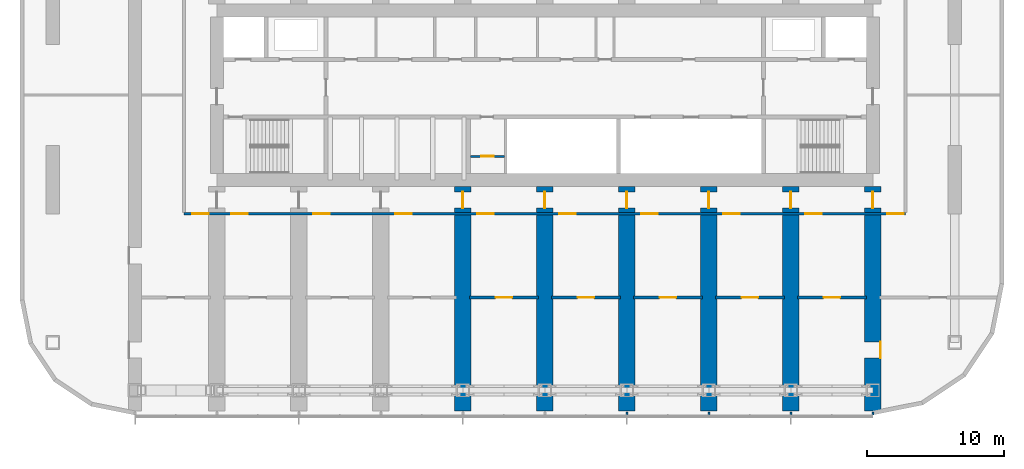
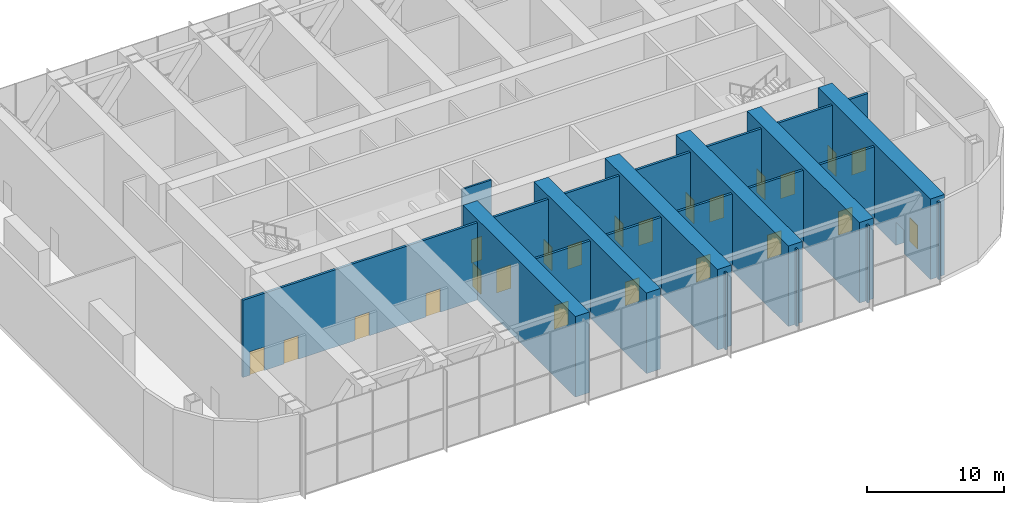
# One storey, part 9 of 22: 23 doors, 17 walls, 23 openings.
"""IFC4 building model written with IfcOpenShell, lengths in metres."""

from ifc_helpers import new_model, si_unit, direction, frame, frame_2d, origin, place, context, subcontext, project, spatial, rectangle, extrude, material, layer, layer_set, type_object, element, fill, save


model = new_model("IFC4")

# Units and contexts
model_context = context("Model", 3, precision=1e-05, world=origin(), true_north=direction((0.0, 1.0)))
body_context = subcontext(model_context, "Body", "Model", "MODEL_VIEW")
ifc_project = project(units=[si_unit("LENGTHUNIT", "METRE"), si_unit("AREAUNIT", "SQUARE_METRE"), si_unit("VOLUMEUNIT", "CUBIC_METRE"), si_unit("PLANEANGLEUNIT", "RADIAN"), si_unit("MASSUNIT", "GRAM", prefix="KILO")], contexts=[model_context])

# Site, building, storey
site_placement = place(None, origin())
site = spatial("IfcSite", under=ifc_project, at=site_placement, CompositionType="ELEMENT")
building_placement = place(site_placement, origin())
building = spatial("IfcBuilding", under=site, at=building_placement, Name="Orbita Commons", CompositionType="ELEMENT")
storey_placement = place(building_placement, frame((0.0, 0.0, 133.14990234375)))
storey = spatial("IfcBuildingStorey", under=building, at=storey_placement, Name="L33", CompositionType="ELEMENT", Elevation=133.14990234375)

# Wall, opening, door
ifc_material_1 = material(Name="Concrete blockwork", Category="masonry")
ifc_layer_1 = layer(ifc_material_1, 0.14990234375)
ifc_layer_set_1 = layer_set([ifc_layer_1], Name="Concrete blockwork")
wall_type_1 = type_object("IfcWallType", Name="Core partition 150 blockwork", PredefinedType="SOLIDWALL", material=ifc_layer_set_1)
wall_1_placement = place(storey_placement, frame((36.550048828125, 27.52490234375, 0.0), z_axis=(0.0, 0.0, 1.0), x_axis=(1.0, 0.0, 0.0)))
wall_1 = element("IfcWall", 1, at=wall_1_placement, inside=storey, type_object=wall_type_1, Name="Core partition 150 blockwork L33", PredefinedType="SOLIDWALL", context=body_context, shape_type="SweptSolid", body=[
    extrude(rectangle(XDim=2.5, YDim=0.14990234375, at=frame_2d((1.25, 0.0))), origin(), (0.0, 0.0, 1.0), 6.900146484375),
])
opening_1_placement = place(wall_1_placement, frame((0.800048828125, 0.0, 0.0)))
opening_1 = element("IfcOpeningElement", 2, at=opening_1_placement, cuts=wall_1, Name="Opening D05", PredefinedType="OPENING", context=body_context, shape_type="SweptSolid", body=[
    extrude(rectangle(XDim=0.89990234375, YDim=2.10009765625, at=frame_2d((0.449951171875, 1.050048828125))), frame((0.0, 0.0849609375, 0.0), z_axis=(0.0, -1.0, 0.0), x_axis=(1.0, 0.0, 0.0)), (0.0, 0.0, 1.0), 0.169921875),
])
ifc_material_2 = material(Name="Steel-faced fire door leaf", Category="steel")
door_type_1 = type_object("IfcDoorType", Name="Service door 20 min 900x2100", OperationType="SINGLE_SWING_LEFT", PredefinedType="DOOR", material=ifc_material_2)
door_1_placement = place(opening_1_placement, origin())
door_1 = element("IfcDoor", 3, at=door_1_placement, inside=storey, type_object=door_type_1, Name="Cupboard door off IT room", OperationType="SINGLE_SWING_LEFT", OverallHeight=2.10009765625, OverallWidth=0.89990234375, PredefinedType="DOOR", context=body_context, shape_type="SweptSolid", body=[
    extrude(rectangle(XDim=0.89990234375, YDim=2.10009765625, at=frame_2d((0.449951171875, 1.050048828125))), frame((0.0, 0.02490234375, 0.0), z_axis=(0.0, -1.0, 0.0), x_axis=(1.0, 0.0, 0.0)), (0.0, 0.0, 1.0), 0.050048828125),
])
fill(opening_1, door_1)

# Wall, openings, doors
ifc_material_3 = material(Name="Concrete blockwork", Category="masonry")
ifc_layer_2 = layer(ifc_material_3, 0.199951171875)
ifc_layer_set_2 = layer_set([ifc_layer_2], Name="Concrete blockwork")
wall_type_2 = type_object("IfcWallType", Name="Corridor wall 200 blockwork", PredefinedType="SOLIDWALL", material=ifc_layer_set_2)
wall_2_placement = place(storey_placement, frame((68.39990234375, 23.324951171875, 0.0), z_axis=(0.0, 0.0, 1.0), x_axis=(-1.0, 0.0, 0.0)))
wall_2 = element("IfcWall", 4, at=wall_2_placement, inside=storey, type_object=wall_type_2, Name="Corridor wall 200 blockwork L33", PredefinedType="SOLIDWALL", context=body_context, shape_type="SweptSolid", body=[
    extrude(rectangle(XDim=52.7998046875, YDim=0.199951171875, at=frame_2d((26.39990234375, 0.0))), origin(), (0.0, 0.0, 1.0), 6.900146484375),
])
opening_2_placement = place(wall_2_placement, frame((51.0, 0.0, 0.0)))
opening_2 = element("IfcOpeningElement", 5, at=opening_2_placement, cuts=wall_2, Name="Opening D01", PredefinedType="OPENING", context=body_context, shape_type="SweptSolid", body=[
    extrude(rectangle(XDim=1.199951171875, YDim=2.10009765625, at=frame_2d((0.60009765625, 1.050048828125))), frame((0.0, 0.10986328125, 0.0), z_axis=(0.0, -1.0, 0.0), x_axis=(1.0, 0.0, 0.0)), (0.0, 0.0, 1.0), 0.219970703125),
])
opening_3_placement = place(wall_2_placement, frame((48.125, 0.0, 0.0)))
opening_3 = element("IfcOpeningElement", 6, at=opening_3_placement, cuts=wall_2, Name="Opening D01", PredefinedType="OPENING", context=body_context, shape_type="SweptSolid", body=[
    extrude(rectangle(XDim=1.199951171875, YDim=2.10009765625, at=frame_2d((0.60009765625, 1.050048828125))), frame((0.0, 0.10986328125, 0.0), z_axis=(0.0, -1.0, 0.0), x_axis=(1.0, 0.0, 0.0)), (0.0, 0.0, 1.0), 0.219970703125),
])
opening_4_placement = place(wall_2_placement, frame((42.125, 0.0, 0.0)))
opening_4 = element("IfcOpeningElement", 7, at=opening_4_placement, cuts=wall_2, Name="Opening D01", PredefinedType="OPENING", context=body_context, shape_type="SweptSolid", body=[
    extrude(rectangle(XDim=1.199951171875, YDim=2.10009765625, at=frame_2d((0.60009765625, 1.050048828125))), frame((0.0, 0.10986328125, 0.0), z_axis=(0.0, -1.0, 0.0), x_axis=(1.0, 0.0, 0.0)), (0.0, 0.0, 1.0), 0.219970703125),
])
opening_5_placement = place(wall_2_placement, frame((36.125, 0.0, 0.0)))
opening_5 = element("IfcOpeningElement", 8, at=opening_5_placement, cuts=wall_2, Name="Opening D01", PredefinedType="OPENING", context=body_context, shape_type="SweptSolid", body=[
    extrude(rectangle(XDim=1.199951171875, YDim=2.10009765625, at=frame_2d((0.60009765625, 1.050048828125))), frame((0.0, 0.10986328125, 0.0), z_axis=(0.0, -1.0, 0.0), x_axis=(1.0, 0.0, 0.0)), (0.0, 0.0, 1.0), 0.219970703125),
])
opening_6_placement = place(wall_2_placement, frame((30.125, 0.0, 0.0)))
opening_6 = element("IfcOpeningElement", 9, at=opening_6_placement, cuts=wall_2, Name="Opening D01", PredefinedType="OPENING", context=body_context, shape_type="SweptSolid", body=[
    extrude(rectangle(XDim=1.199951171875, YDim=2.10009765625, at=frame_2d((0.60009765625, 1.050048828125))), frame((0.0, 0.10986328125, 0.0), z_axis=(0.0, -1.0, 0.0), x_axis=(1.0, 0.0, 0.0)), (0.0, 0.0, 1.0), 0.219970703125),
])
opening_7_placement = place(wall_2_placement, frame((24.125, 0.0, 0.0)))
opening_7 = element("IfcOpeningElement", 10, at=opening_7_placement, cuts=wall_2, Name="Opening D01", PredefinedType="OPENING", context=body_context, shape_type="SweptSolid", body=[
    extrude(rectangle(XDim=1.199951171875, YDim=2.10009765625, at=frame_2d((0.60009765625, 1.050048828125))), frame((0.0, 0.10986328125, 0.0), z_axis=(0.0, -1.0, 0.0), x_axis=(1.0, 0.0, 0.0)), (0.0, 0.0, 1.0), 0.219970703125),
])
opening_8_placement = place(wall_2_placement, frame((18.125, 0.0, 0.0)))
opening_8 = element("IfcOpeningElement", 11, at=opening_8_placement, cuts=wall_2, Name="Opening D01", PredefinedType="OPENING", context=body_context, shape_type="SweptSolid", body=[
    extrude(rectangle(XDim=1.199951171875, YDim=2.10009765625, at=frame_2d((0.60009765625, 1.050048828125))), frame((0.0, 0.10986328125, 0.0), z_axis=(0.0, -1.0, 0.0), x_axis=(1.0, 0.0, 0.0)), (0.0, 0.0, 1.0), 0.219970703125),
])
opening_9_placement = place(wall_2_placement, frame((12.125, 0.0, 0.0)))
opening_9 = element("IfcOpeningElement", 12, at=opening_9_placement, cuts=wall_2, Name="Opening D01", PredefinedType="OPENING", context=body_context, shape_type="SweptSolid", body=[
    extrude(rectangle(XDim=1.199951171875, YDim=2.10009765625, at=frame_2d((0.60009765625, 1.050048828125))), frame((0.0, 0.10986328125, 0.0), z_axis=(0.0, -1.0, 0.0), x_axis=(1.0, 0.0, 0.0)), (0.0, 0.0, 1.0), 0.219970703125),
])
opening_10_placement = place(wall_2_placement, frame((6.125, 0.0, 0.0)))
opening_10 = element("IfcOpeningElement", 13, at=opening_10_placement, cuts=wall_2, Name="Opening D01", PredefinedType="OPENING", context=body_context, shape_type="SweptSolid", body=[
    extrude(rectangle(XDim=1.199951171875, YDim=2.10009765625, at=frame_2d((0.60009765625, 1.050048828125))), frame((0.0, 0.10986328125, 0.0), z_axis=(0.0, -1.0, 0.0), x_axis=(1.0, 0.0, 0.0)), (0.0, 0.0, 1.0), 0.219970703125),
])
opening_11_placement = place(wall_2_placement, frame((0.125, 0.0, 0.0)))
opening_11 = element("IfcOpeningElement", 14, at=opening_11_placement, cuts=wall_2, Name="Opening D01", PredefinedType="OPENING", context=body_context, shape_type="SweptSolid", body=[
    extrude(rectangle(XDim=1.199951171875, YDim=2.10009765625, at=frame_2d((0.60009765625, 1.050048828125))), frame((0.0, 0.10986328125, 0.0), z_axis=(0.0, -1.0, 0.0), x_axis=(1.0, 0.0, 0.0)), (0.0, 0.0, 1.0), 0.219970703125),
])
ifc_material_4 = material(Name="Steel-faced fire door leaf", Category="steel")
door_type_2 = type_object("IfcDoorType", Name="Fire door 90 min 1200x2100", OperationType="SINGLE_SWING_LEFT", PredefinedType="DOOR", material=ifc_material_4)
door_2_placement = place(opening_2_placement, origin())
door_2 = element("IfcDoor", 15, at=door_2_placement, inside=storey, type_object=door_type_2, Name="Refuge lobby L33-PS1 door", OperationType="SINGLE_SWING_LEFT", OverallHeight=2.10009765625, OverallWidth=1.199951171875, PredefinedType="DOOR", context=body_context, shape_type="SweptSolid", body=[
    extrude(rectangle(XDim=1.199951171875, YDim=2.10009765625, at=frame_2d((0.60009765625, 1.050048828125))), frame((0.0, 0.02490234375, 0.0), z_axis=(0.0, -1.0, 0.0), x_axis=(1.0, 0.0, 0.0)), (0.0, 0.0, 1.0), 0.050048828125),
])
fill(opening_2, door_2)
door_3_placement = place(opening_3_placement, origin())
door_3 = element("IfcDoor", 16, at=door_3_placement, inside=storey, type_object=door_type_2, Name="Refuge lobby L33-PS2 door", OperationType="SINGLE_SWING_LEFT", OverallHeight=2.10009765625, OverallWidth=1.199951171875, PredefinedType="DOOR", context=body_context, shape_type="SweptSolid", body=[
    extrude(rectangle(XDim=1.199951171875, YDim=2.10009765625, at=frame_2d((0.60009765625, 1.050048828125))), frame((0.0, 0.02490234375, 0.0), z_axis=(0.0, -1.0, 0.0), x_axis=(1.0, 0.0, 0.0)), (0.0, 0.0, 1.0), 0.050048828125),
])
fill(opening_3, door_3)
door_4_placement = place(opening_4_placement, origin())
door_4 = element("IfcDoor", 17, at=door_4_placement, inside=storey, type_object=door_type_2, Name="Refuge lobby L33-PS3 door", OperationType="SINGLE_SWING_LEFT", OverallHeight=2.10009765625, OverallWidth=1.199951171875, PredefinedType="DOOR", context=body_context, shape_type="SweptSolid", body=[
    extrude(rectangle(XDim=1.199951171875, YDim=2.10009765625, at=frame_2d((0.60009765625, 1.050048828125))), frame((0.0, 0.02490234375, 0.0), z_axis=(0.0, -1.0, 0.0), x_axis=(1.0, 0.0, 0.0)), (0.0, 0.0, 1.0), 0.050048828125),
])
fill(opening_4, door_4)
door_5_placement = place(opening_5_placement, origin())
door_5 = element("IfcDoor", 18, at=door_5_placement, inside=storey, type_object=door_type_2, Name="Refuge lobby L33-PS4 door", OperationType="SINGLE_SWING_LEFT", OverallHeight=2.10009765625, OverallWidth=1.199951171875, PredefinedType="DOOR", context=body_context, shape_type="SweptSolid", body=[
    extrude(rectangle(XDim=1.199951171875, YDim=2.10009765625, at=frame_2d((0.60009765625, 1.050048828125))), frame((0.0, 0.02490234375, 0.0), z_axis=(0.0, -1.0, 0.0), x_axis=(1.0, 0.0, 0.0)), (0.0, 0.0, 1.0), 0.050048828125),
])
fill(opening_5, door_5)
door_6_placement = place(opening_6_placement, origin())
door_6 = element("IfcDoor", 19, at=door_6_placement, inside=storey, type_object=door_type_2, Name="Refuge lobby L33-PS5 door", OperationType="SINGLE_SWING_LEFT", OverallHeight=2.10009765625, OverallWidth=1.199951171875, PredefinedType="DOOR", context=body_context, shape_type="SweptSolid", body=[
    extrude(rectangle(XDim=1.199951171875, YDim=2.10009765625, at=frame_2d((0.60009765625, 1.050048828125))), frame((0.0, 0.02490234375, 0.0), z_axis=(0.0, -1.0, 0.0), x_axis=(1.0, 0.0, 0.0)), (0.0, 0.0, 1.0), 0.050048828125),
])
fill(opening_6, door_6)
door_7_placement = place(opening_7_placement, origin())
door_7 = element("IfcDoor", 20, at=door_7_placement, inside=storey, type_object=door_type_2, Name="Refuge lobby L33-PS6 door", OperationType="SINGLE_SWING_LEFT", OverallHeight=2.10009765625, OverallWidth=1.199951171875, PredefinedType="DOOR", context=body_context, shape_type="SweptSolid", body=[
    extrude(rectangle(XDim=1.199951171875, YDim=2.10009765625, at=frame_2d((0.60009765625, 1.050048828125))), frame((0.0, 0.02490234375, 0.0), z_axis=(0.0, -1.0, 0.0), x_axis=(1.0, 0.0, 0.0)), (0.0, 0.0, 1.0), 0.050048828125),
])
fill(opening_7, door_7)
door_8_placement = place(opening_8_placement, origin())
door_8 = element("IfcDoor", 21, at=door_8_placement, inside=storey, type_object=door_type_2, Name="Refuge lobby L33-PS7 door", OperationType="SINGLE_SWING_LEFT", OverallHeight=2.10009765625, OverallWidth=1.199951171875, PredefinedType="DOOR", context=body_context, shape_type="SweptSolid", body=[
    extrude(rectangle(XDim=1.199951171875, YDim=2.10009765625, at=frame_2d((0.60009765625, 1.050048828125))), frame((0.0, 0.02490234375, 0.0), z_axis=(0.0, -1.0, 0.0), x_axis=(1.0, 0.0, 0.0)), (0.0, 0.0, 1.0), 0.050048828125),
])
fill(opening_8, door_8)
door_9_placement = place(opening_9_placement, origin())
door_9 = element("IfcDoor", 22, at=door_9_placement, inside=storey, type_object=door_type_2, Name="Refuge lobby L33-PS8 door", OperationType="SINGLE_SWING_LEFT", OverallHeight=2.10009765625, OverallWidth=1.199951171875, PredefinedType="DOOR", context=body_context, shape_type="SweptSolid", body=[
    extrude(rectangle(XDim=1.199951171875, YDim=2.10009765625, at=frame_2d((0.60009765625, 1.050048828125))), frame((0.0, 0.02490234375, 0.0), z_axis=(0.0, -1.0, 0.0), x_axis=(1.0, 0.0, 0.0)), (0.0, 0.0, 1.0), 0.050048828125),
])
fill(opening_9, door_9)
door_10_placement = place(opening_10_placement, origin())
door_10 = element("IfcDoor", 23, at=door_10_placement, inside=storey, type_object=door_type_2, Name="Refuge lobby L33-PS9 door", OperationType="SINGLE_SWING_LEFT", OverallHeight=2.10009765625, OverallWidth=1.199951171875, PredefinedType="DOOR", context=body_context, shape_type="SweptSolid", body=[
    extrude(rectangle(XDim=1.199951171875, YDim=2.10009765625, at=frame_2d((0.60009765625, 1.050048828125))), frame((0.0, 0.02490234375, 0.0), z_axis=(0.0, -1.0, 0.0), x_axis=(1.0, 0.0, 0.0)), (0.0, 0.0, 1.0), 0.050048828125),
])
fill(opening_10, door_10)
door_11_placement = place(opening_11_placement, origin())
door_11 = element("IfcDoor", 24, at=door_11_placement, inside=storey, type_object=door_type_2, Name="Refuge lobby L33-PS10 door", OperationType="SINGLE_SWING_LEFT", OverallHeight=2.10009765625, OverallWidth=1.199951171875, PredefinedType="DOOR", context=body_context, shape_type="SweptSolid", body=[
    extrude(rectangle(XDim=1.199951171875, YDim=2.10009765625, at=frame_2d((0.60009765625, 1.050048828125))), frame((0.0, 0.02490234375, 0.0), z_axis=(0.0, -1.0, 0.0), x_axis=(1.0, 0.0, 0.0)), (0.0, 0.0, 1.0), 0.050048828125),
])
fill(opening_11, door_11)

# Wall, opening, door
ifc_material_5 = material(Name="Hollow concrete block 200", Category="concrete")
ifc_layer_3 = layer(ifc_material_5, 0.199951171875)
ifc_layer_set_3 = layer_set([ifc_layer_3], Name="Hollow concrete block 200")
wall_type_3 = type_object("IfcWallType", Name="Corridor wall 200 hollow concrete block", PredefinedType="SOLIDWALL", material=ifc_layer_set_3)
wall_3_placement = place(storey_placement, frame((36.47509765625, 17.199951171875, 0.0), z_axis=(0.0, 0.0, 1.0), x_axis=(1.0, 0.0, 0.0)))
wall_3 = element("IfcWall", 25, at=wall_3_placement, inside=storey, type_object=wall_type_3, Name="Corridor wall 200 hollow concrete block L33", PredefinedType="SOLIDWALL", context=body_context, shape_type="SweptSolid", body=[
    extrude(rectangle(XDim=5.0498046875, YDim=0.199951171875, at=frame_2d((2.52490234375, 0.0))), origin(), (0.0, 0.0, 1.0), 6.900146484375),
])
opening_12_placement = place(wall_3_placement, frame((1.925048828125, 0.0, 0.0)))
opening_12 = element("IfcOpeningElement", 26, at=opening_12_placement, cuts=wall_3, Name="Opening D01", PredefinedType="OPENING", context=body_context, shape_type="SweptSolid", body=[
    extrude(rectangle(XDim=1.199951171875, YDim=2.10009765625, at=frame_2d((0.60009765625, 1.050048828125))), frame((0.0, 0.10986328125, 0.0), z_axis=(0.0, -1.0, 0.0), x_axis=(1.0, 0.0, 0.0)), (0.0, 0.0, 1.0), 0.219970703125),
])
door_12_placement = place(opening_12_placement, origin())
door_12 = element("IfcDoor", 27, at=door_12_placement, inside=storey, type_object=door_type_2, Name="Refuge area door L33", OperationType="SINGLE_SWING_LEFT", OverallHeight=2.10009765625, OverallWidth=1.199951171875, PredefinedType="DOOR", context=body_context, shape_type="SweptSolid", body=[
    extrude(rectangle(XDim=1.199951171875, YDim=2.10009765625, at=frame_2d((0.60009765625, 1.050048828125))), frame((0.0, 0.02490234375, 0.0), z_axis=(0.0, -1.0, 0.0), x_axis=(1.0, 0.0, 0.0)), (0.0, 0.0, 1.0), 0.050048828125),
])
fill(opening_12, door_12)

wall_4_placement = place(storey_placement, frame((42.47509765625, 17.199951171875, 0.0), z_axis=(0.0, 0.0, 1.0), x_axis=(1.0, 0.0, 0.0)))
wall_4 = element("IfcWall", 28, at=wall_4_placement, inside=storey, type_object=wall_type_3, Name="Corridor wall 200 hollow concrete block L33", PredefinedType="SOLIDWALL", context=body_context, shape_type="SweptSolid", body=[
    extrude(rectangle(XDim=5.0498046875, YDim=0.199951171875, at=frame_2d((2.52490234375, 0.0))), origin(), (0.0, 0.0, 1.0), 6.900146484375),
])
opening_13_placement = place(wall_4_placement, frame((1.925048828125, 0.0, 0.0)))
opening_13 = element("IfcOpeningElement", 29, at=opening_13_placement, cuts=wall_4, Name="Opening D01", PredefinedType="OPENING", context=body_context, shape_type="SweptSolid", body=[
    extrude(rectangle(XDim=1.199951171875, YDim=2.10009765625, at=frame_2d((0.60009765625, 1.050048828125))), frame((0.0, 0.10986328125, 0.0), z_axis=(0.0, -1.0, 0.0), x_axis=(1.0, 0.0, 0.0)), (0.0, 0.0, 1.0), 0.219970703125),
])
door_13_placement = place(opening_13_placement, origin())
door_13 = element("IfcDoor", 30, at=door_13_placement, inside=storey, type_object=door_type_2, Name="Refuge area door L33", OperationType="SINGLE_SWING_LEFT", OverallHeight=2.10009765625, OverallWidth=1.199951171875, PredefinedType="DOOR", context=body_context, shape_type="SweptSolid", body=[
    extrude(rectangle(XDim=1.199951171875, YDim=2.10009765625, at=frame_2d((0.60009765625, 1.050048828125))), frame((0.0, 0.02490234375, 0.0), z_axis=(0.0, -1.0, 0.0), x_axis=(1.0, 0.0, 0.0)), (0.0, 0.0, 1.0), 0.050048828125),
])
fill(opening_13, door_13)

wall_5_placement = place(storey_placement, frame((48.47509765625, 17.199951171875, 0.0), z_axis=(0.0, 0.0, 1.0), x_axis=(1.0, 0.0, 0.0)))
wall_5 = element("IfcWall", 31, at=wall_5_placement, inside=storey, type_object=wall_type_3, Name="Corridor wall 200 hollow concrete block L33", PredefinedType="SOLIDWALL", context=body_context, shape_type="SweptSolid", body=[
    extrude(rectangle(XDim=5.0498046875, YDim=0.199951171875, at=frame_2d((2.52490234375, 0.0))), origin(), (0.0, 0.0, 1.0), 6.900146484375),
])
opening_14_placement = place(wall_5_placement, frame((1.925048828125, 0.0, 0.0)))
opening_14 = element("IfcOpeningElement", 32, at=opening_14_placement, cuts=wall_5, Name="Opening D01", PredefinedType="OPENING", context=body_context, shape_type="SweptSolid", body=[
    extrude(rectangle(XDim=1.199951171875, YDim=2.10009765625, at=frame_2d((0.60009765625, 1.050048828125))), frame((0.0, 0.10986328125, 0.0), z_axis=(0.0, -1.0, 0.0), x_axis=(1.0, 0.0, 0.0)), (0.0, 0.0, 1.0), 0.219970703125),
])
door_14_placement = place(opening_14_placement, origin())
door_14 = element("IfcDoor", 33, at=door_14_placement, inside=storey, type_object=door_type_2, Name="Refuge area door L33", OperationType="SINGLE_SWING_LEFT", OverallHeight=2.10009765625, OverallWidth=1.199951171875, PredefinedType="DOOR", context=body_context, shape_type="SweptSolid", body=[
    extrude(rectangle(XDim=1.199951171875, YDim=2.10009765625, at=frame_2d((0.60009765625, 1.050048828125))), frame((0.0, 0.02490234375, 0.0), z_axis=(0.0, -1.0, 0.0), x_axis=(1.0, 0.0, 0.0)), (0.0, 0.0, 1.0), 0.050048828125),
])
fill(opening_14, door_14)

wall_6_placement = place(storey_placement, frame((54.47509765625, 17.199951171875, 0.0), z_axis=(0.0, 0.0, 1.0), x_axis=(1.0, 0.0, 0.0)))
wall_6 = element("IfcWall", 34, at=wall_6_placement, inside=storey, type_object=wall_type_3, Name="Corridor wall 200 hollow concrete block L33", PredefinedType="SOLIDWALL", context=body_context, shape_type="SweptSolid", body=[
    extrude(rectangle(XDim=5.0498046875, YDim=0.199951171875, at=frame_2d((2.52490234375, 0.0))), origin(), (0.0, 0.0, 1.0), 6.900146484375),
])
opening_15_placement = place(wall_6_placement, frame((1.925048828125, 0.0, 0.0)))
opening_15 = element("IfcOpeningElement", 35, at=opening_15_placement, cuts=wall_6, Name="Opening D01", PredefinedType="OPENING", context=body_context, shape_type="SweptSolid", body=[
    extrude(rectangle(XDim=1.199951171875, YDim=2.10009765625, at=frame_2d((0.60009765625, 1.050048828125))), frame((0.0, 0.10986328125, 0.0), z_axis=(0.0, -1.0, 0.0), x_axis=(1.0, 0.0, 0.0)), (0.0, 0.0, 1.0), 0.219970703125),
])
door_15_placement = place(opening_15_placement, origin())
door_15 = element("IfcDoor", 36, at=door_15_placement, inside=storey, type_object=door_type_2, Name="Refuge area door L33", OperationType="SINGLE_SWING_LEFT", OverallHeight=2.10009765625, OverallWidth=1.199951171875, PredefinedType="DOOR", context=body_context, shape_type="SweptSolid", body=[
    extrude(rectangle(XDim=1.199951171875, YDim=2.10009765625, at=frame_2d((0.60009765625, 1.050048828125))), frame((0.0, 0.02490234375, 0.0), z_axis=(0.0, -1.0, 0.0), x_axis=(1.0, 0.0, 0.0)), (0.0, 0.0, 1.0), 0.050048828125),
])
fill(opening_15, door_15)

wall_7_placement = place(storey_placement, frame((60.47509765625, 17.199951171875, 0.0), z_axis=(0.0, 0.0, 1.0), x_axis=(1.0, 0.0, 0.0)))
wall_7 = element("IfcWall", 37, at=wall_7_placement, inside=storey, type_object=wall_type_3, Name="Corridor wall 200 hollow concrete block L33", PredefinedType="SOLIDWALL", context=body_context, shape_type="SweptSolid", body=[
    extrude(rectangle(XDim=5.0498046875, YDim=0.199951171875, at=frame_2d((2.52490234375, 0.0))), origin(), (0.0, 0.0, 1.0), 6.900146484375),
])
opening_16_placement = place(wall_7_placement, frame((1.925048828125, 0.0, 0.0)))
opening_16 = element("IfcOpeningElement", 38, at=opening_16_placement, cuts=wall_7, Name="Opening D01", PredefinedType="OPENING", context=body_context, shape_type="SweptSolid", body=[
    extrude(rectangle(XDim=1.199951171875, YDim=2.10009765625, at=frame_2d((0.60009765625, 1.050048828125))), frame((0.0, 0.10986328125, 0.0), z_axis=(0.0, -1.0, 0.0), x_axis=(1.0, 0.0, 0.0)), (0.0, 0.0, 1.0), 0.219970703125),
])
door_16_placement = place(opening_16_placement, origin())
door_16 = element("IfcDoor", 39, at=door_16_placement, inside=storey, type_object=door_type_2, Name="Refuge area door L33", OperationType="SINGLE_SWING_LEFT", OverallHeight=2.10009765625, OverallWidth=1.199951171875, PredefinedType="DOOR", context=body_context, shape_type="SweptSolid", body=[
    extrude(rectangle(XDim=1.199951171875, YDim=2.10009765625, at=frame_2d((0.60009765625, 1.050048828125))), frame((0.0, 0.02490234375, 0.0), z_axis=(0.0, -1.0, 0.0), x_axis=(1.0, 0.0, 0.0)), (0.0, 0.0, 1.0), 0.050048828125),
])
fill(opening_16, door_16)

ifc_material_6 = material(Name="Concrete C50/60", Category="concrete")
ifc_layer_4 = layer(ifc_material_6, 1.199951171875)
ifc_layer_set_4 = layer_set([ifc_layer_4], Name="Concrete C50/60")
wall_type_4 = type_object("IfcWallType", Name="Outrigger wall 1200 C50/60", PredefinedType="SHEAR", material=ifc_layer_set_4)
wall_8_placement = place(storey_placement, frame((36.0, 8.89990234375, 0.0), z_axis=(0.0, 0.0, 1.0), x_axis=(0.0, 1.0, 0.0)))
wall_8 = element("IfcWall", 40, at=wall_8_placement, inside=storey, type_object=wall_type_4, Name="Outrigger wall 7 south L33", PredefinedType="SHEAR", context=body_context, shape_type="SweptSolid", body=[
    extrude(rectangle(XDim=16.425048828125, YDim=1.199951171875, at=frame_2d((8.21240234375, 0.0))), origin(), (0.0, 0.0, 1.0), 7.2001953125),
])
opening_17_placement = place(wall_8_placement, frame((14.824951171875, 0.0, 0.0)))
opening_17 = element("IfcOpeningElement", 41, at=opening_17_placement, cuts=wall_8, Name="Opening D01", PredefinedType="OPENING", context=body_context, shape_type="SweptSolid", body=[
    extrude(rectangle(XDim=1.199951171875, YDim=2.10009765625, at=frame_2d((0.60009765625, 1.050048828125))), frame((0.0, 0.60986328125, 0.0), z_axis=(0.0, -1.0, 0.0), x_axis=(1.0, 0.0, 0.0)), (0.0, 0.0, 1.0), 1.219970703125),
])
door_17_placement = place(opening_17_placement, origin())
door_17 = element("IfcDoor", 42, at=door_17_placement, inside=storey, type_object=door_type_2, Name="Corridor door through cross wall S L33", OperationType="SINGLE_SWING_LEFT", OverallHeight=2.10009765625, OverallWidth=1.199951171875, PredefinedType="DOOR", context=body_context, shape_type="SweptSolid", body=[
    extrude(rectangle(XDim=1.199951171875, YDim=2.10009765625, at=frame_2d((0.60009765625, 1.050048828125))), frame((0.0, 0.02490234375, 0.0), z_axis=(0.0, -1.0, 0.0), x_axis=(1.0, 0.0, 0.0)), (0.0, 0.0, 1.0), 0.050048828125),
])
fill(opening_17, door_17)

wall_9_placement = place(storey_placement, frame((42.0, 8.89990234375, 0.0), z_axis=(0.0, 0.0, 1.0), x_axis=(0.0, 1.0, 0.0)))
wall_9 = element("IfcWall", 43, at=wall_9_placement, inside=storey, type_object=wall_type_4, Name="Outrigger wall 8 south L33", PredefinedType="SHEAR", context=body_context, shape_type="SweptSolid", body=[
    extrude(rectangle(XDim=16.425048828125, YDim=1.199951171875, at=frame_2d((8.21240234375, 0.0))), origin(), (0.0, 0.0, 1.0), 7.2001953125),
])
opening_18_placement = place(wall_9_placement, frame((14.824951171875, 0.0, 0.0)))
opening_18 = element("IfcOpeningElement", 44, at=opening_18_placement, cuts=wall_9, Name="Opening D01", PredefinedType="OPENING", context=body_context, shape_type="SweptSolid", body=[
    extrude(rectangle(XDim=1.199951171875, YDim=2.10009765625, at=frame_2d((0.60009765625, 1.050048828125))), frame((0.0, 0.60986328125, 0.0), z_axis=(0.0, -1.0, 0.0), x_axis=(1.0, 0.0, 0.0)), (0.0, 0.0, 1.0), 1.219970703125),
])
door_18_placement = place(opening_18_placement, origin())
door_18 = element("IfcDoor", 45, at=door_18_placement, inside=storey, type_object=door_type_2, Name="Corridor door through cross wall S L33", OperationType="SINGLE_SWING_LEFT", OverallHeight=2.10009765625, OverallWidth=1.199951171875, PredefinedType="DOOR", context=body_context, shape_type="SweptSolid", body=[
    extrude(rectangle(XDim=1.199951171875, YDim=2.10009765625, at=frame_2d((0.60009765625, 1.050048828125))), frame((0.0, 0.02490234375, 0.0), z_axis=(0.0, -1.0, 0.0), x_axis=(1.0, 0.0, 0.0)), (0.0, 0.0, 1.0), 0.050048828125),
])
fill(opening_18, door_18)

wall_10_placement = place(storey_placement, frame((48.0, 8.89990234375, 0.0), z_axis=(0.0, 0.0, 1.0), x_axis=(0.0, 1.0, 0.0)))
wall_10 = element("IfcWall", 46, at=wall_10_placement, inside=storey, type_object=wall_type_4, Name="Outrigger wall 9 south L33", PredefinedType="SHEAR", context=body_context, shape_type="SweptSolid", body=[
    extrude(rectangle(XDim=16.425048828125, YDim=1.199951171875, at=frame_2d((8.21240234375, 0.0))), origin(), (0.0, 0.0, 1.0), 7.2001953125),
])
opening_19_placement = place(wall_10_placement, frame((14.824951171875, 0.0, 0.0)))
opening_19 = element("IfcOpeningElement", 47, at=opening_19_placement, cuts=wall_10, Name="Opening D01", PredefinedType="OPENING", context=body_context, shape_type="SweptSolid", body=[
    extrude(rectangle(XDim=1.199951171875, YDim=2.10009765625, at=frame_2d((0.60009765625, 1.050048828125))), frame((0.0, 0.60986328125, 0.0), z_axis=(0.0, -1.0, 0.0), x_axis=(1.0, 0.0, 0.0)), (0.0, 0.0, 1.0), 1.219970703125),
])
door_19_placement = place(opening_19_placement, origin())
door_19 = element("IfcDoor", 48, at=door_19_placement, inside=storey, type_object=door_type_2, Name="Corridor door through cross wall S L33", OperationType="SINGLE_SWING_LEFT", OverallHeight=2.10009765625, OverallWidth=1.199951171875, PredefinedType="DOOR", context=body_context, shape_type="SweptSolid", body=[
    extrude(rectangle(XDim=1.199951171875, YDim=2.10009765625, at=frame_2d((0.60009765625, 1.050048828125))), frame((0.0, 0.02490234375, 0.0), z_axis=(0.0, -1.0, 0.0), x_axis=(1.0, 0.0, 0.0)), (0.0, 0.0, 1.0), 0.050048828125),
])
fill(opening_19, door_19)

wall_11_placement = place(storey_placement, frame((54.0, 8.89990234375, 0.0), z_axis=(0.0, 0.0, 1.0), x_axis=(0.0, 1.0, 0.0)))
wall_11 = element("IfcWall", 49, at=wall_11_placement, inside=storey, type_object=wall_type_4, Name="Outrigger wall 10 south L33", PredefinedType="SHEAR", context=body_context, shape_type="SweptSolid", body=[
    extrude(rectangle(XDim=16.425048828125, YDim=1.199951171875, at=frame_2d((8.21240234375, 0.0))), origin(), (0.0, 0.0, 1.0), 7.2001953125),
])
opening_20_placement = place(wall_11_placement, frame((14.824951171875, 0.0, 0.0)))
opening_20 = element("IfcOpeningElement", 50, at=opening_20_placement, cuts=wall_11, Name="Opening D01", PredefinedType="OPENING", context=body_context, shape_type="SweptSolid", body=[
    extrude(rectangle(XDim=1.199951171875, YDim=2.10009765625, at=frame_2d((0.60009765625, 1.050048828125))), frame((0.0, 0.60986328125, 0.0), z_axis=(0.0, -1.0, 0.0), x_axis=(1.0, 0.0, 0.0)), (0.0, 0.0, 1.0), 1.219970703125),
])
door_20_placement = place(opening_20_placement, origin())
door_20 = element("IfcDoor", 51, at=door_20_placement, inside=storey, type_object=door_type_2, Name="Corridor door through cross wall S L33", OperationType="SINGLE_SWING_LEFT", OverallHeight=2.10009765625, OverallWidth=1.199951171875, PredefinedType="DOOR", context=body_context, shape_type="SweptSolid", body=[
    extrude(rectangle(XDim=1.199951171875, YDim=2.10009765625, at=frame_2d((0.60009765625, 1.050048828125))), frame((0.0, 0.02490234375, 0.0), z_axis=(0.0, -1.0, 0.0), x_axis=(1.0, 0.0, 0.0)), (0.0, 0.0, 1.0), 0.050048828125),
])
fill(opening_20, door_20)

wall_12_placement = place(storey_placement, frame((60.0, 8.89990234375, 0.0), z_axis=(0.0, 0.0, 1.0), x_axis=(0.0, 1.0, 0.0)))
wall_12 = element("IfcWall", 52, at=wall_12_placement, inside=storey, type_object=wall_type_4, Name="Outrigger wall 11 south L33", PredefinedType="SHEAR", context=body_context, shape_type="SweptSolid", body=[
    extrude(rectangle(XDim=16.425048828125, YDim=1.199951171875, at=frame_2d((8.21240234375, 0.0))), origin(), (0.0, 0.0, 1.0), 7.2001953125),
])
opening_21_placement = place(wall_12_placement, frame((14.824951171875, 0.0, 0.0)))
opening_21 = element("IfcOpeningElement", 53, at=opening_21_placement, cuts=wall_12, Name="Opening D01", PredefinedType="OPENING", context=body_context, shape_type="SweptSolid", body=[
    extrude(rectangle(XDim=1.199951171875, YDim=2.10009765625, at=frame_2d((0.60009765625, 1.050048828125))), frame((0.0, 0.60986328125, 0.0), z_axis=(0.0, -1.0, 0.0), x_axis=(1.0, 0.0, 0.0)), (0.0, 0.0, 1.0), 1.219970703125),
])
door_21_placement = place(opening_21_placement, origin())
door_21 = element("IfcDoor", 54, at=door_21_placement, inside=storey, type_object=door_type_2, Name="Corridor door through cross wall S L33", OperationType="SINGLE_SWING_LEFT", OverallHeight=2.10009765625, OverallWidth=1.199951171875, PredefinedType="DOOR", context=body_context, shape_type="SweptSolid", body=[
    extrude(rectangle(XDim=1.199951171875, YDim=2.10009765625, at=frame_2d((0.60009765625, 1.050048828125))), frame((0.0, 0.02490234375, 0.0), z_axis=(0.0, -1.0, 0.0), x_axis=(1.0, 0.0, 0.0)), (0.0, 0.0, 1.0), 0.050048828125),
])
fill(opening_21, door_21)

# Wall, openings, doors
wall_13_placement = place(storey_placement, frame((66.0, 8.89990234375, 0.0), z_axis=(0.0, 0.0, 1.0), x_axis=(0.0, 1.0, 0.0)))
wall_13 = element("IfcWall", 55, at=wall_13_placement, inside=storey, type_object=wall_type_4, Name="Outrigger wall 12 south L33", PredefinedType="SHEAR", context=body_context, shape_type="SweptSolid", body=[
    extrude(rectangle(XDim=16.425048828125, YDim=1.199951171875, at=frame_2d((8.21240234375, 0.0))), origin(), (0.0, 0.0, 1.0), 7.2001953125),
])
opening_22_placement = place(wall_13_placement, frame((14.824951171875, 0.0, 0.0)))
opening_22 = element("IfcOpeningElement", 56, at=opening_22_placement, cuts=wall_13, Name="Opening D01", PredefinedType="OPENING", context=body_context, shape_type="SweptSolid", body=[
    extrude(rectangle(XDim=1.199951171875, YDim=2.10009765625, at=frame_2d((0.60009765625, 1.050048828125))), frame((0.0, 0.60986328125, 0.0), z_axis=(0.0, -1.0, 0.0), x_axis=(1.0, 0.0, 0.0)), (0.0, 0.0, 1.0), 1.219970703125),
])
opening_23_placement = place(wall_13_placement, frame((3.85009765625, 0.0, 0.0)))
opening_23 = element("IfcOpeningElement", 57, at=opening_23_placement, cuts=wall_13, Name="Opening D01", PredefinedType="OPENING", context=body_context, shape_type="SweptSolid", body=[
    extrude(rectangle(XDim=1.199951171875, YDim=2.10009765625, at=frame_2d((0.60009765625, 1.050048828125))), frame((0.0, 0.60986328125, 0.0), z_axis=(0.0, -1.0, 0.0), x_axis=(1.0, 0.0, 0.0)), (0.0, 0.0, 1.0), 1.219970703125),
])
door_22_placement = place(opening_22_placement, origin())
door_22 = element("IfcDoor", 58, at=door_22_placement, inside=storey, type_object=door_type_2, Name="Corridor door through cross wall S L33", OperationType="SINGLE_SWING_LEFT", OverallHeight=2.10009765625, OverallWidth=1.199951171875, PredefinedType="DOOR", context=body_context, shape_type="SweptSolid", body=[
    extrude(rectangle(XDim=1.199951171875, YDim=2.10009765625, at=frame_2d((0.60009765625, 1.050048828125))), frame((0.0, 0.02490234375, 0.0), z_axis=(0.0, -1.0, 0.0), x_axis=(1.0, 0.0, 0.0)), (0.0, 0.0, 1.0), 0.050048828125),
])
fill(opening_22, door_22)
door_23_placement = place(opening_23_placement, origin())
door_23 = element("IfcDoor", 59, at=door_23_placement, inside=storey, type_object=door_type_2, Name="Refuge area connecting door L33", OperationType="SINGLE_SWING_LEFT", OverallHeight=2.10009765625, OverallWidth=1.199951171875, PredefinedType="DOOR", context=body_context, shape_type="SweptSolid", body=[
    extrude(rectangle(XDim=1.199951171875, YDim=2.10009765625, at=frame_2d((0.60009765625, 1.050048828125))), frame((0.0, -0.53515625, 0.0), z_axis=(0.0, -1.0, 0.0), x_axis=(1.0, 0.0, 0.0)), (0.0, 0.0, 1.0), 0.050048828125),
])
fill(opening_23, door_23)

# Walls
ifc_material_7 = material(Name="Gypsum plasterboard on steel studs", Category="steel")
ifc_layer_5 = layer(ifc_material_7, 0.14990234375)
ifc_layer_set_5 = layer_set([ifc_layer_5], Name="Gypsum plasterboard on steel studs")
wall_type_5 = type_object("IfcWallType", Name="Partition 150 plasterboard", PredefinedType="PARTITIONING", material=ifc_layer_set_5)
for number, where, z_axis, x_axis, name in (
    (60, (48.0, 8.800048828125, 0.0), (0.0, 0.0, 1.0), (0.0, -1.0, 0.0), "Partition 150 plasterboard L33"),
    (61, (54.0, 8.800048828125, 0.0), (0.0, 0.0, 1.0), (0.0, -1.0, 0.0), "Partition 150 plasterboard L33"),
    (62, (60.0, 8.800048828125, 0.0), (0.0, 0.0, 1.0), (0.0, -1.0, 0.0), "Partition 150 plasterboard L33"),
):
    element("IfcWall", number, at=place(storey_placement, frame(where, z_axis=z_axis, x_axis=x_axis)), inside=storey, type_object=wall_type_5, Name=name, PredefinedType="PARTITIONING", context=body_context, shape_type="SweptSolid", body=[
        extrude(rectangle(XDim=0.18994140625, YDim=0.14990234375, at=frame_2d((0.094970703125, 0.0))), origin(), (0.0, 0.0, 1.0), 6.900146484375),
    ])
wall_14_placement = place(storey_placement, frame((66.0, 8.800048828125, 0.0), z_axis=(0.0, 0.0, 1.0), x_axis=(0.0, -1.0, 0.0)))
element("IfcWall", 63, at=wall_14_placement, inside=storey, type_object=wall_type_5, Name="Partition 150 plasterboard L33", PredefinedType="PARTITIONING", context=body_context, shape_type="SweptSolid", body=[
    extrude(rectangle(XDim=0.219970703125, YDim=0.14990234375, at=frame_2d((0.10986328125, 0.0))), origin(), (0.0, 0.0, 1.0), 6.900146484375),
])

save(model, "model.ifc")
